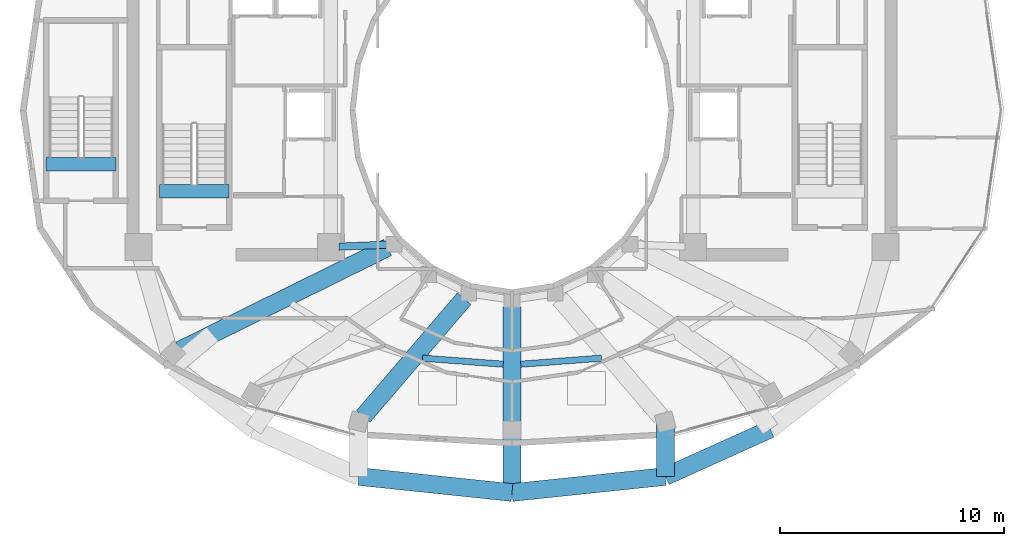
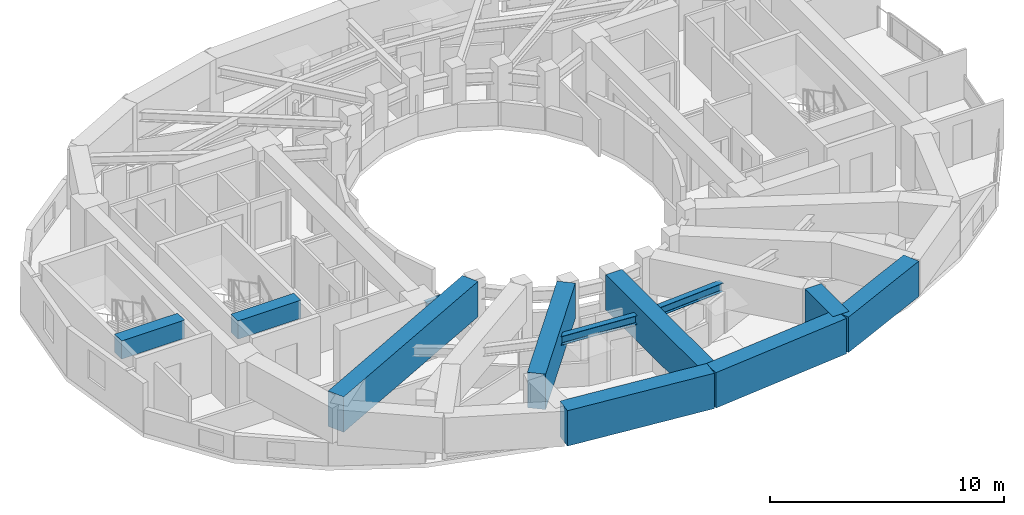
# One storey, part 3 of 19: 12 beams.
"""IFC4 building model written with IfcOpenShell, lengths in metres."""

from ifc_helpers import new_model, si_unit, direction, frame, origin, origin_2d, place, context, subcontext, project, spatial, rectangle, i_section, extrude, material, material_profile, profile_set, type_object, element, save


model = new_model("IFC4")

# Units and contexts
model_context = context("Model", 3, precision=1e-05, world=origin(), true_north=direction((0.0, 1.0)))
body_context = subcontext(model_context, "Body", "Model", "MODEL_VIEW")
ifc_project = project(units=[si_unit("LENGTHUNIT", "METRE"), si_unit("AREAUNIT", "SQUARE_METRE"), si_unit("VOLUMEUNIT", "CUBIC_METRE"), si_unit("PLANEANGLEUNIT", "RADIAN"), si_unit("MASSUNIT", "GRAM", prefix="KILO")], contexts=[model_context])

# Site, building, storey
site_placement = place(None, origin())
site = spatial("IfcSite", under=ifc_project, at=site_placement, CompositionType="ELEMENT")
building_placement = place(site_placement, origin())
building = spatial("IfcBuilding", under=site, at=building_placement, Name="Solvane Sanctuary Tower", CompositionType="ELEMENT")
storey_placement = place(building_placement, frame((0.0, 0.0, 207.800048828125)))
storey = spatial("IfcBuildingStorey", under=building, at=storey_placement, Name="L63", CompositionType="ELEMENT", Elevation=207.800048828125)

# Beams
ifc_material_1 = material(Name="Concrete C70/85", Category="concrete")
ifc_material_profile_1 = material_profile(ifc_material_1, rectangle(XDim=0.60009765625, YDim=0.949951171875, at=origin_2d()), Name="RC600X950")
ifc_profile_set_1 = profile_set([ifc_material_profile_1], Name="Concrete C70/85")
beam_type_1 = type_object("IfcBeamType", Name="Beam B-COUPLE RC600X950", PredefinedType="LINTEL", material=ifc_profile_set_1)
for number, where, z_axis, x_axis, name in (
    (1, (16.22998046875, 19.399169921875, 2.625), (1.0, 0.0, 0.0), (0.0, 1.0, 0.0), "L63 ST-1 Stair Floor Landing Trimmer"),
    (2, (11.169921875, 20.59912109375, 2.625), (1.0, 0.0, 0.0), (0.0, 1.0, 0.0), "L63 ST-3 Stair Floor Landing Trimmer"),
):
    element("IfcBeam", number, at=place(storey_placement, frame(where, z_axis=z_axis, x_axis=x_axis)), inside=storey, type_object=beam_type_1, Name=name, PredefinedType="LINTEL", context=body_context, shape_type="SweptSolid", body=[
        extrude(rectangle(XDim=0.60009765625, YDim=0.949951171875, at=origin_2d()), origin(), (0.0, 0.0, 1.0), 3.1201171875),
    ])
ifc_material_2 = material(Name="Steel ASTM A992 Grade 50", Category="steel")
ifc_material_profile_2 = material_profile(ifc_material_2, i_section(OverallWidth=0.324951171875, OverallDepth=0.615966796875, WebThickness=0.013916015625, FlangeThickness=0.021484375, FilletRadius=0.01611328125, at=origin_2d()), Name="W24X117")
ifc_profile_set_2 = profile_set([ifc_material_profile_2], Name="Steel ASTM A992 Grade 50")
beam_type_2 = type_object("IfcBeamType", Name="Beam B-RING-IN2 W24X117", PredefinedType="BEAM", material=ifc_profile_set_2)
beam_1_placement = place(storey_placement, frame((24.259765625, 16.9150390625, 2.2900390625), z_axis=(0.999129127803, 0.041725124022, 0.0), x_axis=(-0.041725124022, 0.999129127803, 0.0)))
element("IfcBeam", 3, at=beam_1_placement, inside=storey, type_object=beam_type_2, Name="L63 Inner Light-Well Ring Beam CW2-IC08", PredefinedType="BEAM", context=body_context, shape_type="SweptSolid", body=[
    extrude(i_section(OverallWidth=0.324951171875, OverallDepth=0.615966796875, WebThickness=0.013916015625, FlangeThickness=0.021484375, FilletRadius=0.01611328125, at=origin_2d()), origin(), (0.0, 0.0, 1.0), 2.1474609375),
])
ifc_material_profile_3 = material_profile(ifc_material_2, i_section(OverallWidth=0.280029296875, OverallDepth=0.462890625, WebThickness=0.0107421875, FlangeThickness=0.017333984375, FilletRadius=0.013916015625, at=origin_2d()), Name="W18X76")
ifc_profile_set_3 = profile_set([ifc_material_profile_3], Name="Steel ASTM A992 Grade 50")
beam_type_3 = type_object("IfcBeamType", Name="Beam B-SEC-JOIST W18X76", PredefinedType="JOIST", material=ifc_profile_set_3)
for number, where, z_axis, x_axis, name in (
    (4, (28.00048828125, 11.927734375, 2.366455078125), (0.997237826885, -0.074274602856, 0.0), (0.074274602856, 0.997237826885, 0.0), "L63 Secondary Circumferential Joist 10-11"),
    (5, (32.393798828125, 11.6591796875, 2.366455078125), (0.997237826885, 0.074274602856, 0.0), (-0.074274602856, 0.997237826885, 0.0), "L63 Secondary Circumferential Joist 11-12"),
):
    element("IfcBeam", number, at=place(storey_placement, frame(where, z_axis=z_axis, x_axis=x_axis)), inside=storey, type_object=beam_type_3, Name=name, PredefinedType="JOIST", context=body_context, shape_type="SweptSolid", body=[
        extrude(i_section(OverallWidth=0.280029296875, OverallDepth=0.462890625, WebThickness=0.0107421875, FlangeThickness=0.017333984375, FilletRadius=0.013916015625, at=origin_2d()), origin(), (0.0, 0.0, 1.0), 3.61572265625),
    ])
ifc_material_profile_4 = material_profile(ifc_material_1, rectangle(XDim=0.800048828125, YDim=1.85009765625, at=origin_2d()), Name="RC800X1850")
ifc_profile_set_4 = profile_set([ifc_material_profile_4], Name="Concrete C70/85")
beam_type_4 = type_object("IfcBeamType", Name="Beam B-XFER-BLK RC800X1850", PredefinedType="BEAM", material=ifc_profile_set_4)
beam_2_placement = place(storey_placement, frame((26.43798828125, 16.876220703125, 2.175048828125), z_axis=(-0.896592388925, -0.442856735437, 0.0), x_axis=(0.442856735437, -0.896592388925, 0.0)))
element("IfcBeam", 6, at=beam_2_placement, inside=storey, type_object=beam_type_4, Name="L63 Block-Shift Radial Transfer Girder 08A", PredefinedType="BEAM", context=body_context, shape_type="SweptSolid", body=[
    extrude(rectangle(XDim=0.800048828125, YDim=1.85009765625, at=origin_2d()), origin(), (0.0, 0.0, 1.0), 10.367919921875),
])
beam_3_placement = place(storey_placement, frame((29.86083984375, 14.58544921875, 2.175048828125), z_axis=(-0.651014889966, -0.759064959699, 0.0), x_axis=(0.759064959699, -0.651014889966, 0.0)))
element("IfcBeam", 7, at=beam_3_placement, inside=storey, type_object=beam_type_4, Name="L63 Block-Shift Radial Transfer Girder 10A", PredefinedType="BEAM", context=body_context, shape_type="SweptSolid", body=[
    extrude(rectangle(XDim=0.800048828125, YDim=1.85009765625, at=origin_2d()), origin(), (0.0, 0.0, 1.0), 6.92529296875),
])
beam_4_placement = place(storey_placement, frame((32.0, 14.219970703125, 2.175048828125), z_axis=(0.0, -1.0, 0.0), x_axis=(1.0, 0.0, 0.0)))
element("IfcBeam", 8, at=beam_4_placement, inside=storey, type_object=beam_type_4, Name="L63 Block-Shift Radial Transfer Girder 11A", PredefinedType="BEAM", context=body_context, shape_type="SweptSolid", body=[
    extrude(rectangle(XDim=0.800048828125, YDim=1.85009765625, at=origin_2d()), origin(), (0.0, 0.0, 1.0), 8.300048828125),
])
beam_5_placement = place(storey_placement, frame((38.856201171875, 9.03564453125, 2.175048828125), z_axis=(0.0, -1.0, 0.0), x_axis=(1.0, 0.0, 0.0)))
element("IfcBeam", 9, at=beam_5_placement, inside=storey, type_object=beam_type_4, Name="L63 Block-Shift Transfer Tie 12B", PredefinedType="BEAM", context=body_context, shape_type="SweptSolid", body=[
    extrude(rectangle(XDim=0.800048828125, YDim=1.85009765625, at=origin_2d()), origin(), (0.0, 0.0, 1.0), 2.39794921875),
])
for number, where, z_axis, x_axis, name in (
    (10, (25.143798828125, 6.6376953125, 2.175048828125), (0.994564674006, -0.104120647423, 0.0), (0.104120647423, 0.994564674006, 0.0), "L63 Perimeter Step Transfer Ring NTC10-NTC11"),
    (11, (32.0, 5.919921875, 2.175048828125), (0.994564674006, 0.104120647423, 0.0), (-0.104120647423, 0.994564674006, 0.0), "L63 Perimeter Step Transfer Ring NTC11-NTC12"),
):
    element("IfcBeam", number, at=place(storey_placement, frame(where, z_axis=z_axis, x_axis=x_axis)), inside=storey, type_object=beam_type_4, Name=name, PredefinedType="BEAM", context=body_context, shape_type="SweptSolid", body=[
        extrude(rectangle(XDim=0.800048828125, YDim=1.85009765625, at=origin_2d()), origin(), (0.0, 0.0, 1.0), 6.8935546875),
    ])
beam_6_placement = place(storey_placement, frame((38.856201171875, 6.6376953125, 2.175048828125), z_axis=(0.911462833157, 0.411382430074, 0.0), x_axis=(-0.411382430074, 0.911462833157, 0.0)))
element("IfcBeam", 12, at=beam_6_placement, inside=storey, type_object=beam_type_4, Name="L63 Perimeter Step Transfer Ring NTC12-NTC13", PredefinedType="BEAM", context=body_context, shape_type="SweptSolid", body=[
    extrude(rectangle(XDim=0.800048828125, YDim=1.85009765625, at=origin_2d()), origin(), (0.0, 0.0, 1.0), 5.155517578125),
])

save(model, "model.ifc")
